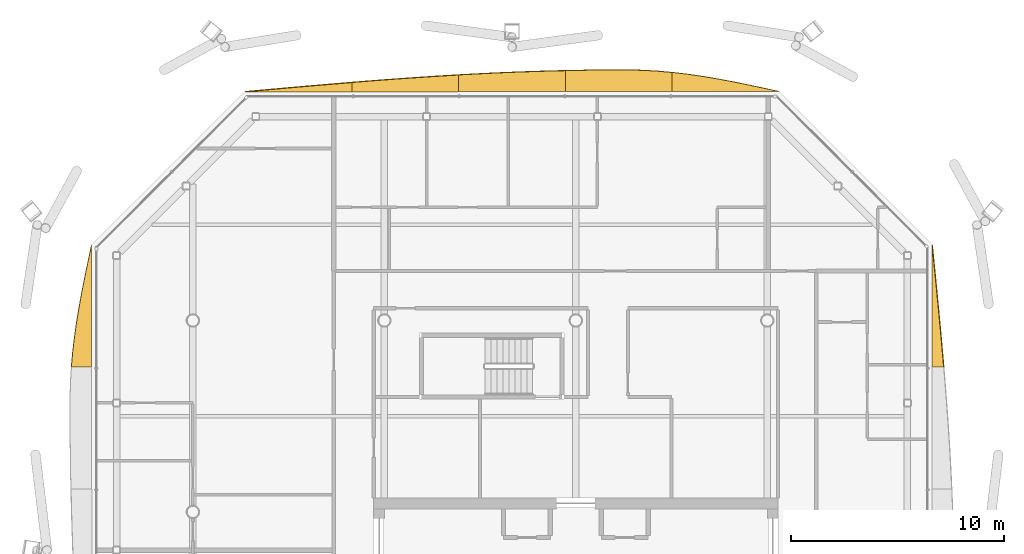
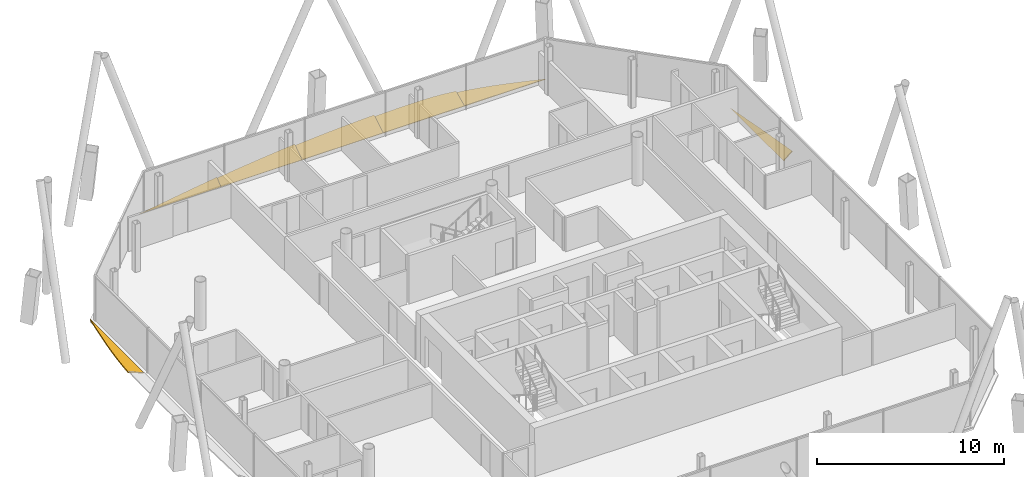
# One storey, part 20 of 20: 7 shading devices.
"""IFC4 building model written with IfcOpenShell, lengths in metres."""

from ifc_helpers import new_model, si_unit, direction, frame, origin, place, context, subcontext, project, spatial, polyline, outline, extrude, material, layer, layer_set, type_object, element, save


model = new_model("IFC4")

# Units and contexts
model_context = context("Model", 3, precision=1e-05, world=origin(), true_north=direction((0.0, 1.0)))
body_context = subcontext(model_context, "Body", "Model", "MODEL_VIEW")
ifc_project = project(units=[si_unit("LENGTHUNIT", "METRE"), si_unit("AREAUNIT", "SQUARE_METRE"), si_unit("VOLUMEUNIT", "CUBIC_METRE"), si_unit("PLANEANGLEUNIT", "RADIAN"), si_unit("MASSUNIT", "GRAM", prefix="KILO")], contexts=[model_context])

# Site, building, storey
site_placement = place(None, origin())
site = spatial("IfcSite", under=ifc_project, at=site_placement, CompositionType="ELEMENT")
building_placement = place(site_placement, origin())
building = spatial("IfcBuilding", under=site, at=building_placement, Name="Tskaro Facet Tower", CompositionType="ELEMENT")
storey_placement = place(building_placement, frame((0.0, 0.0, 200.550048828125)))
storey = spatial("IfcBuildingStorey", under=building, at=storey_placement, Name="L51", CompositionType="ELEMENT", Elevation=200.550048828125)

# Shading devices
ifc_material = material(Name="Bronze anodised aluminium 6063-T6", Category="aluminium")
ifc_layer = layer(ifc_material, 0.06005859375, Name="Bronze anodised aluminium 6063-T6")
ifc_layer_set = layer_set([ifc_layer], Name="Bronze anodised aluminium 6063-T6")
shading_device_type = type_object("IfcShadingDeviceType", Name="Bronze sun blade (FN1)", PredefinedType="USERDEFINED", material=ifc_layer_set)
shading_device_1_placement = place(storey_placement, frame((16.744384765625, 6.808349609375, 0.0458984375), z_axis=(-0.642675987813, 8.381079e-06, 0.766138091089), x_axis=(5.386318e-06, 0.999999999965, -6.421064e-06)))
element("IfcShadingDevice", 1, at=shading_device_1_placement, inside=storey, type_object=shading_device_type, Name="Fin blade east 5", ObjectType="FIN", PredefinedType="USERDEFINED", context=body_context, shape_type="SweptSolid", body=[
    extrude(outline(polyline([(0.0, 0.0), (5.734619140423593, 0.0), (5.01782226536192, -0.09305857901018583), (4.301025390552872, -0.18577320927062752), (3.5842285151866746, -0.2772689478494353), (2.867431640578347, -0.36773284017901053), (2.150634765918118, -0.45628994332746364), (1.4335937495186004, -0.5424092631126489), (0.7167968755124378, -0.6261209416496251), (-4.1779441715143596e-10, -0.7065198938914438), (0.0, 0.0)])), origin(), (0.0, 0.0, -1.0), 0.06005859375),
])
shading_device_2_placement = place(storey_placement, frame((9.54296875, 19.762451171875, 0.056396484375), z_axis=(-4.761653e-06, -0.342001858185, 0.939699275819), x_axis=(-0.999999999989, 1.628494e-06, -4.474522e-06)))
element("IfcShadingDevice", 2, at=shading_device_2_placement, inside=storey, type_object=shading_device_type, Name="Fin blade north 1", ObjectType="FIN", PredefinedType="USERDEFINED", context=body_context, shape_type="SweptSolid", body=[
    extrude(outline(polyline([(0.0, 0.0), (5.017089843693123, -1.062410099247795e-21), (5.01708984375568, -0.9566052791940957), (4.3005371098671406, -0.8669352390834668), (3.583740234134628, -0.7565737941643211), (2.866943359371713, -0.6282115439851221), (2.15014648448973, -0.4847895777365617), (1.4333496091951765, -0.3297078221463582), (0.7167968746147111, -0.1668250414792561), (0.0, 0.0)])), origin(), (0.0, 0.0, -1.0), 0.06005859375),
])
shading_device_3_placement = place(storey_placement, frame((4.52587890625, 19.757568359375, 0.054443359375), z_axis=(-4.749194e-06, -0.422463075745, 0.906380135269), x_axis=(-0.999999999989, 2.006359e-06, -4.304575e-06)))
element("IfcShadingDevice", 3, at=shading_device_3_placement, inside=storey, type_object=shading_device_type, Name="Fin blade north 2", ObjectType="FIN", PredefinedType="USERDEFINED", context=body_context, shape_type="SweptSolid", body=[
    extrude(outline(polyline([(0.0, 0.0), (5.017333984318418, -1.0624617980360795e-21), (5.01733398470868, -1.0895142932107242), (4.300537109333657, -1.104366575293202), (3.583740234528668, -1.114853186777423), (2.8669433592427898, -1.1210772680627406), (2.257812499660897, -1.1227143945370868), (2.1503906247333626, -1.1221686857123048), (1.4335937499197349, -1.104912284117984), (0.7167968749549606, -1.0610042870946859), (1.8636501393750333e-10, -0.9917573965046887), (0.0, 0.0)])), origin(), (0.0, 0.0, -1.0), 0.06005859375),
])
shading_device_4_placement = place(storey_placement, frame((-0.491455078125, 19.7529296875, 0.052001953125), z_axis=(4.688756e-06, -0.499905102378, 0.866080186007), x_axis=(-0.999999999989, -2.343933e-06, 4.060839e-06)))
element("IfcShadingDevice", 4, at=shading_device_4_placement, inside=storey, type_object=shading_device_type, Name="Fin blade north 3", ObjectType="FIN", PredefinedType="USERDEFINED", context=body_context, shape_type="SweptSolid", body=[
    extrude(outline(polyline([(0.0, 0.0), (5.017089843694851, 0.0), (5.017089844206941, -0.9091630616558461), (4.30029296829293, -0.9544341015406096), (3.583740234647745, -0.995679131047703), (2.866943358894063, -1.0330769466046814), (2.1501464847842096, -1.0664487517839898), (1.4333496093439388, -1.0954284051532184), (0.7167968747619125, -1.119926508498589), (2.07302542874037e-10, -1.1402765543221534), (0.0, 0.0)])), origin(), (0.0, 0.0, -1.0), 0.06005859375),
])
shading_device_5_placement = place(storey_placement, frame((-5.508544921875, 19.74853515625, 0.049072265625), z_axis=(4.188455e-06, -0.573554897068, 0.819167125825), x_axis=(-0.999999999991, -2.402309e-06, 3.431045e-06)))
element("IfcShadingDevice", 5, at=shading_device_5_placement, inside=storey, type_object=shading_device_type, Name="Fin blade north 4", ObjectType="FIN", PredefinedType="USERDEFINED", context=body_context, shape_type="SweptSolid", body=[
    extrude(outline(polyline([(0.0, 0.0), (5.01733398433099, 0.0), (5.017333984498094, -0.5320207375368813), (4.300537109638914, -0.6017834598426967), (3.5837402344457994, -0.6691060780496125), (2.866943359505251, -0.7337886001835489), (2.1503906246046096, -0.7956909981934623), (1.4335937496668811, -0.854413288131193), (0.7167968750659082, -0.9096154499716173), (-3.596685424587968e-11, -0.9611574556636924), (0.0, 0.0)])), origin(), (0.0, 0.0, -1.0), 0.06005859375),
])
shading_device_6_placement = place(storey_placement, frame((-10.52587890625, 19.744384765625, 0.0458984375), z_axis=(2.3553043e-05, -0.642750505343, 0.766075575467), x_axis=(-0.999999999723, -1.513873e-05, 1.8043411e-05)))
element("IfcShadingDevice", 6, at=shading_device_6_placement, inside=storey, type_object=shading_device_type, Name="Fin blade north 5", ObjectType="FIN", PredefinedType="USERDEFINED", context=body_context, shape_type="SweptSolid", body=[
    extrude(outline(polyline([(0.0, 0.0), (5.017089842358395, -8.49928079398236e-21), (4.3002929690483676, -0.08386858840913551), (3.5837402319581417, -0.16758025530813395), (2.866943356520662, -0.2504169886773277), (2.15014648336086, -0.3323787885167168), (1.433349611060435, -0.4127777514663401), (0.7165527359234078, -0.491800907696041), (-2.843590441743078e-09, -0.5687603538458585), (0.0, 0.0)])), origin(), (0.0, 0.0, -1.0), 0.06005859375),
])
shading_device_7_placement = place(storey_placement, frame((-22.762451171875, 12.54296875, 0.056396484375), z_axis=(0.341942592952, 6.57297e-07, 0.939720843189), x_axis=(2.24758e-07, -1.0, 6.17676e-07)))
element("IfcShadingDevice", 7, at=shading_device_7_placement, inside=storey, type_object=shading_device_type, Name="Fin blade west 1", ObjectType="FIN", PredefinedType="USERDEFINED", context=body_context, shape_type="SweptSolid", body=[
    extrude(outline(polyline([(0.0, 0.0), (5.734619140623762, 0.0), (5.734619140619569, -1.0124430475381858), (5.017822265643113, -0.9430890688643557), (4.301025390697084, -0.8521884330193075), (3.5839843749642286, -0.7419729204655925), (2.867187499954694, -0.6149247579008352), (2.1503906250430798, -0.4739015380122657), (1.433593749968444, -0.32213621947672055), (0.7167968749771136, -0.16288278317212695), (0.0, 0.0)])), origin(), (0.0, 0.0, -1.0), 0.06005859375),
])

save(model, "model.ifc")
